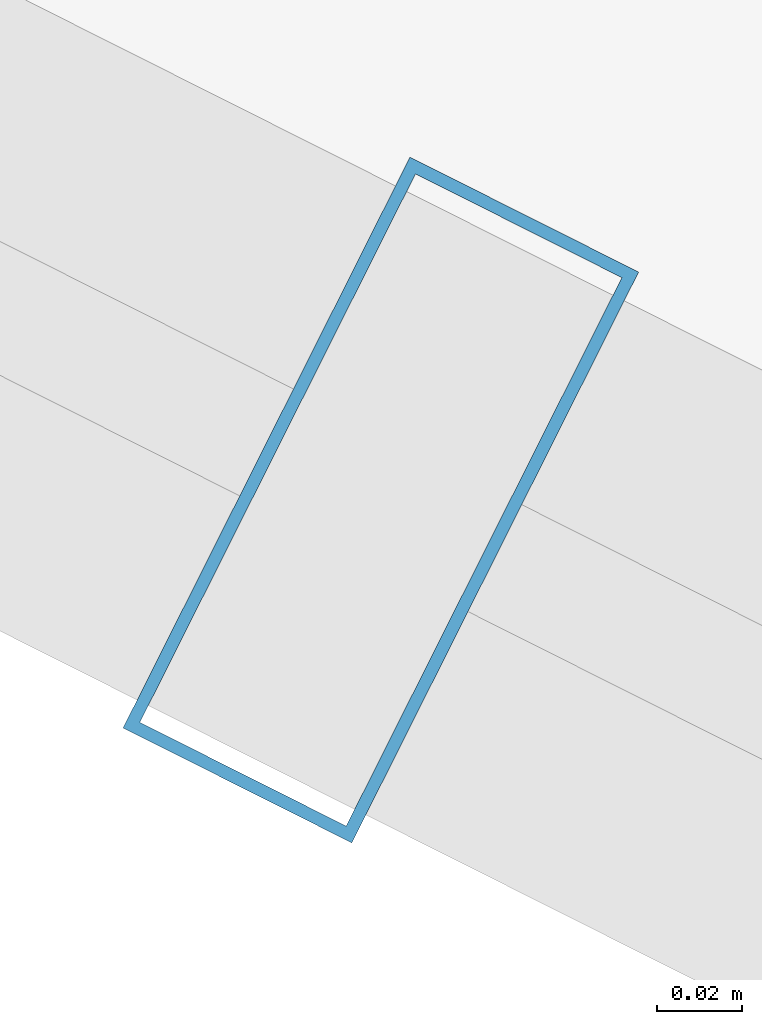
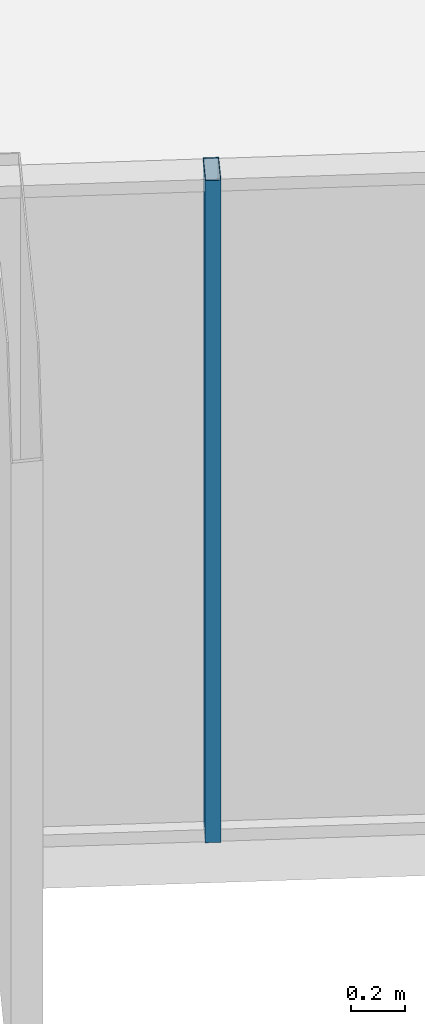
# One storey, part 4 of 33: 1 member, 1 element without a shape of its own.
"""IFC4 building model written with IfcOpenShell, lengths in metres."""

import ifcopenshell
import ifcopenshell.guid

model = None  # the IFC model being written
_history = None  # IfcOwnerHistory: only IFC2X3 demands one
_inside = {}  # id of a spatial element -> (the spatial element, [elements in it])
_under = {}  # id of a project, library or spatial element -> (it, [spatial elements below it])
_declared = {}  # id of a project -> (the project, [libraries it declares])
_typed = {}  # id of a type object -> (the type object, [elements of that type])
_made_of = {}  # id of a material, layer set ... -> (it, [elements and type objects made of it])


def new_model(schema):
    """Start an empty IFC model of exactly this schema.

    Asked for "IFC4X3", IfcOpenShell would pick the latest addendum, in which some entities
    have other attributes; the version numbers below select the first issue.
    IFC2X3 requires an IfcOwnerHistory on every rooted entity: one is made here for all.
    """
    global model, _history
    if schema == "IFC4X3":
        model = ifcopenshell.file(schema_version=(4, 3, 0, 0))
    else:
        model = ifcopenshell.file(schema=schema)
    _inside.clear()
    _under.clear()
    _declared.clear()
    _typed.clear()
    _made_of.clear()
    _history = None
    if model.schema == "IFC2X3":
        org = make("IfcOrganization", Name="unknown")
        user = make(
            "IfcPersonAndOrganization",
            ThePerson=make("IfcPerson", FamilyName="unknown"),
            TheOrganization=org,
        )
        app = make(
            "IfcApplication",
            ApplicationDeveloper=org,
            Version="unknown",
            ApplicationFullName="unknown",
            ApplicationIdentifier="unknown",
        )
        _history = make(
            "IfcOwnerHistory",
            OwningUser=user,
            OwningApplication=app,
            ChangeAction="ADDED",
            CreationDate=0,
        )
    return model


def make(cls, **values):
    """One entity of the class cls with the attributes given. An attribute that is None is left unset."""
    return model.create_entity(
        cls, **{name: value for name, value in values.items() if value is not None}
    )


def rooted(cls, **values):
    """An entity with a GlobalId (a new one), such as an element, a storey or a relation."""
    return make(cls, GlobalId=ifcopenshell.guid.new(), OwnerHistory=_history, **values)


def si_unit(unit_type, name, prefix=None):
    """IfcSIUnit, for example si_unit("LENGTHUNIT", "METRE", prefix="MILLI")."""
    return make("IfcSIUnit", UnitType=unit_type, Prefix=prefix, Name=name)


def assignment(units):
    """IfcUnitAssignment: the units of a project."""
    return None if units is None else make("IfcUnitAssignment", Units=units)


def point(xyz):
    """IfcCartesianPoint."""
    return None if xyz is None else make("IfcCartesianPoint", Coordinates=xyz)


def direction(xyz):
    """IfcDirection."""
    return None if xyz is None else make("IfcDirection", DirectionRatios=xyz)


def frame(location, z_axis=None, x_axis=None):
    """IfcAxis2Placement3D, a coordinate frame: its origin and axes. An axis left out is left unset."""
    return make(
        "IfcAxis2Placement3D",
        Location=point(location),
        Axis=direction(z_axis),
        RefDirection=direction(x_axis),
    )


def frame_2d(location, x_axis=None):
    """IfcAxis2Placement2D, a coordinate frame in the plane: its origin and x axis."""
    return make(
        "IfcAxis2Placement2D", Location=point(location), RefDirection=direction(x_axis)
    )


def origin():
    """The frame at (0, 0, 0) with its axes left unset."""
    return frame((0.0, 0.0, 0.0))


def origin_2d():
    """The frame at (0, 0) in the plane with its x axis left unset."""
    return frame_2d((0.0, 0.0))


def place(relative_to, where):
    """IfcLocalPlacement: puts the frame where relative to a parent placement (None: the world)."""
    return make(
        "IfcLocalPlacement", PlacementRelTo=relative_to, RelativePlacement=where
    )


def context(
    kind, dimensions, precision=None, world=None, true_north=None, identifier=None
):
    """IfcGeometricRepresentationContext, for example the 3D "Model" context."""
    return make(
        "IfcGeometricRepresentationContext",
        ContextIdentifier=identifier,
        ContextType=kind,
        CoordinateSpaceDimension=dimensions,
        Precision=precision,
        WorldCoordinateSystem=world,
        TrueNorth=true_north,
    )


def subcontext(parent, identifier, kind, view, scale=None):
    """IfcGeometricRepresentationSubContext, for example "Body" below "Model"."""
    return make(
        "IfcGeometricRepresentationSubContext",
        ContextIdentifier=identifier,
        ContextType=kind,
        ParentContext=parent,
        TargetScale=scale,
        TargetView=view,
    )


def project(units=None, contexts=None):
    """IfcProject with its units and contexts."""
    return rooted(
        "IfcProject",
        Name="project",
        RepresentationContexts=contexts,
        UnitsInContext=assignment(units),
    )


def spatial(cls, under=None, at=None, **own):
    """A site, building, storey or space (cls), placed at a placement, below another one or the project."""
    s = rooted(cls, ObjectPlacement=at, **own)
    if under is not None:
        _under.setdefault(under.id(), (under, []))[1].append(s)
    return s


def profile(cls, at=None, kind="AREA", **sizes):
    """A parametric profile (cls). Its sizes go by their IFC names, for example OverallWidth=200.0."""
    return make(cls, ProfileType=kind, Position=at, **sizes)


def hollow_rectangle(**sizes):
    """IfcRectangleHollowProfileDef."""
    return profile("IfcRectangleHollowProfileDef", **sizes)


def extrude(swept, where, along, depth):
    """IfcExtrudedAreaSolid: the profile swept, set in the frame where, extruded along a direction by depth."""
    return make(
        "IfcExtrudedAreaSolid",
        SweptArea=swept,
        Position=where,
        ExtrudedDirection=direction(along),
        Depth=depth,
    )


def shape(context_of_items, identifier, shape_type, items):
    """IfcShapeRepresentation: the items that make up one representation, for example the "Body"."""
    return make(
        "IfcShapeRepresentation",
        ContextOfItems=context_of_items,
        RepresentationIdentifier=identifier,
        RepresentationType=shape_type,
        Items=items,
    )


def source(mapping_origin, context_of_items, identifier, shape_type, items):
    """IfcRepresentationMap: a shape defined once, which mapped items show again and again."""
    return make(
        "IfcRepresentationMap",
        MappingOrigin=mapping_origin,
        MappedRepresentation=shape(context_of_items, identifier, shape_type, items),
    )


def transform(
    local_origin,
    x_axis=None,
    y_axis=None,
    z_axis=None,
    scale=None,
    scale2=None,
    scale3=None,
    uniform=True,
):
    """IfcCartesianTransformationOperator3D, or its non-uniform kind. x_axis, y_axis, z_axis: its Axis1, 2, 3."""
    if uniform:
        return make(
            "IfcCartesianTransformationOperator3D",
            Axis1=direction(x_axis),
            Axis2=direction(y_axis),
            LocalOrigin=point(local_origin),
            Scale=scale,
            Axis3=direction(z_axis),
        )
    return make(
        "IfcCartesianTransformationOperator3DnonUniform",
        Axis1=direction(x_axis),
        Axis2=direction(y_axis),
        LocalOrigin=point(local_origin),
        Scale=scale,
        Axis3=direction(z_axis),
        Scale2=scale2,
        Scale3=scale3,
    )


def mapped(mapping_source, mapping_target):
    """IfcMappedItem: shows the shape of a source again, moved by a transform."""
    return make(
        "IfcMappedItem", MappingSource=mapping_source, MappingTarget=mapping_target
    )


def material(Name=None, Category=None):
    """IfcMaterial."""
    return make("IfcMaterial", Name=Name, Category=Category)


def layer(
    of_material, thickness, ventilated=None, Name=None, Category=None, Priority=None
):
    """IfcMaterialLayer: one layer of a wall or slab, of a material (None: an air gap)."""
    return make(
        "IfcMaterialLayer",
        Material=of_material,
        LayerThickness=thickness,
        IsVentilated=ventilated,
        Name=Name,
        Category=Category,
        Priority=Priority,
    )


def layer_set(layers, Name=None):
    """IfcMaterialLayerSet."""
    return make("IfcMaterialLayerSet", MaterialLayers=layers, LayerSetName=Name)


def material_profile(
    of_material, cross_section, Name=None, Category=None, Priority=None
):
    """IfcMaterialProfile: a cross section and its material."""
    return make(
        "IfcMaterialProfile",
        Name=Name,
        Material=of_material,
        Profile=cross_section,
        Priority=Priority,
        Category=Category,
    )


def profile_set(profiles, Name=None, composite=None):
    """IfcMaterialProfileSet."""
    return make(
        "IfcMaterialProfileSet",
        Name=Name,
        MaterialProfiles=profiles,
        CompositeProfile=composite,
    )


def made_of(thing, what):
    """Note that an element or type object is made of a material, layer set ...; save() writes the relation."""
    if what is not None:
        _made_of.setdefault(what.id(), (what, []))[1].append(thing)
    return thing


def type_object(cls, material=None, **own):
    """A type object (cls), such as IfcWallType, which elements share."""
    return made_of(rooted(cls, **own), material)


def element(
    cls,
    number,
    at=None,
    inside=None,
    cuts=None,
    type_object=None,
    material=None,
    context=None,
    identifier="Body",
    shape_type=None,
    held_by="IfcProductDefinitionShape",
    body=None,
    shapes=None,
    **own,
):
    """One element of the class cls, such as IfcWall. Its Tag is "e" and its number.

    at: its placement. inside: the storey or other place that contains it. cuts: it is an
    opening in that element (IfcRelVoidsElement). A single representation is given by context,
    identifier, shape_type and body (its items); several are given by shapes. held_by: the class
    of the entity that holds the representations. save() writes the other relations.
    """
    e = rooted(cls, Tag="e%d" % number, ObjectPlacement=at, **own)
    if body is not None:
        shapes = [shape(context, identifier, shape_type, body)]
    if shapes is not None:
        e.Representation = make(held_by, Representations=shapes)
    if inside is not None:
        _inside.setdefault(inside.id(), (inside, []))[1].append(e)
    if cuts is not None:
        rooted(
            "IfcRelVoidsElement", RelatingBuildingElement=cuts, RelatedOpeningElement=e
        )
    if type_object is not None:
        _typed.setdefault(type_object.id(), (type_object, []))[1].append(e)
    return made_of(e, material)


def aggregate(whole, parts):
    """IfcRelAggregates: a whole, such as a stair, and the parts it consists of."""
    return rooted("IfcRelAggregates", RelatingObject=whole, RelatedObjects=parts)


def save(model, path):
    """Write the relations noted so far, then the file.

    IfcRelAggregates (storeys below a building ...), IfcRelContainedInSpatialStructure (elements
    in a storey), IfcRelDefinesByType, IfcRelAssociatesMaterial and IfcRelDeclares: one each for
    every whole, place, type object, material and project.
    """
    for whole, parts in _under.values():
        aggregate(whole, parts)
    for where, things in _inside.values():
        rooted(
            "IfcRelContainedInSpatialStructure",
            RelatedElements=things,
            RelatingStructure=where,
        )
    for kind, things in _typed.values():
        rooted("IfcRelDefinesByType", RelatedObjects=things, RelatingType=kind)
    for what, things in _made_of.values():
        rooted("IfcRelAssociatesMaterial", RelatedObjects=things, RelatingMaterial=what)
    for by, libraries in _declared.values():
        rooted("IfcRelDeclares", RelatingContext=by, RelatedDefinitions=libraries)
    model.write(path)


model = new_model("IFC4")

# Units and contexts
model_context = context("Model", 3, precision=1e-05, world=origin(), true_north=direction((0.0, 1.0)))
body_context = subcontext(model_context, "Body", "Model", "MODEL_VIEW")
ifc_project = project(units=[si_unit("LENGTHUNIT", "METRE"), si_unit("AREAUNIT", "SQUARE_METRE"), si_unit("VOLUMEUNIT", "CUBIC_METRE"), si_unit("PLANEANGLEUNIT", "RADIAN"), si_unit("MASSUNIT", "GRAM", prefix="KILO")], contexts=[model_context])

# Site, building, storey
site_placement = place(None, origin())
site = spatial("IfcSite", under=ifc_project, at=site_placement, CompositionType="ELEMENT")
building_placement = place(site_placement, origin())
building = spatial("IfcBuilding", under=site, at=building_placement, Name="Veraguas Prism Commons", CompositionType="ELEMENT")
storey_placement = place(building_placement, frame((0.0, 0.0, 195.10009765625)))
storey = spatial("IfcBuildingStorey", under=building, at=storey_placement, Name="L55", CompositionType="ELEMENT", Elevation=195.10009765625)

# Curtain wall, member
ifc_material = material(Name="Anodised aluminium EN AW-6063 T6", Category="aluminium")
ifc_layer = layer(ifc_material, 0.14990234375, Name="Unitised Flush Curtain Wall Zone 3", Category="aluminium")
ifc_layer_set = layer_set([ifc_layer], Name="Anodised aluminium EN AW-6063 T6")
curtain_wall_type = type_object("IfcCurtainWallType", Name="Unitised Flush Curtain Wall Zone 3", PredefinedType="NOTDEFINED", material=ifc_layer_set)
curtain_wall_placement = place(storey_placement, origin())
curtain_wall = element("IfcCurtainWall", 1, at=curtain_wall_placement, inside=storey, type_object=curtain_wall_type, Name="Tower Facade Curtain Wall L55-F4", PredefinedType="NOTDEFINED")
ifc_material_profile = material_profile(ifc_material, hollow_rectangle(XDim=0.06005859375, YDim=0.14990234375, WallThickness=0.0029296875, at=origin_2d()), Name="AL60X150X3")
ifc_profile_set = profile_set([ifc_material_profile], Name="Anodised aluminium EN AW-6063 T6")
member_type = type_object("IfcMemberType", Name="Curtain Wall Mullion Upper AL 60x150x3", PredefinedType="MULLION", material=ifc_profile_set)
shared_shape = source(origin(), body_context, "Body", "SweptSolid", [
    extrude(hollow_rectangle(XDim=0.06005859375, YDim=0.14990234375, WallThickness=0.0029296875, at=origin_2d()), origin(), (0.0, 0.0, 1.0), 3.014892578125),
])
member_placement = place(storey_placement, frame((19.600341796875, 6.390380859375, 0.0), z_axis=(0.0, 0.0, 1.0), x_axis=(0.893525824808, -0.449011804301, 0.0)))
member = element("IfcMember", 2, at=member_placement, type_object=member_type, Name="CW-Z3 Mullion 4", PredefinedType="MULLION", context=body_context, shape_type="MappedRepresentation", body=[
    mapped(shared_shape, transform((0.0, 0.0, 0.0), scale=1.0)),
])
aggregate(curtain_wall, [member])

save(model, "model.ifc")
